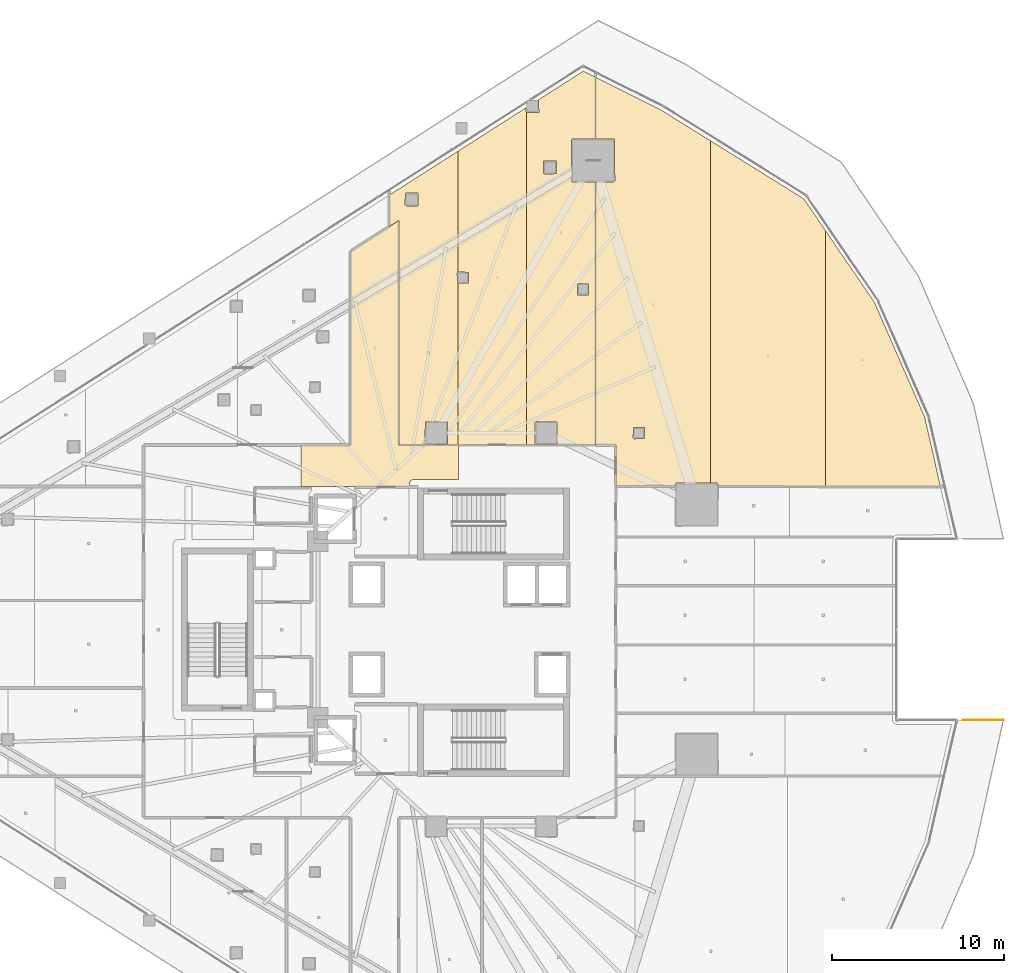
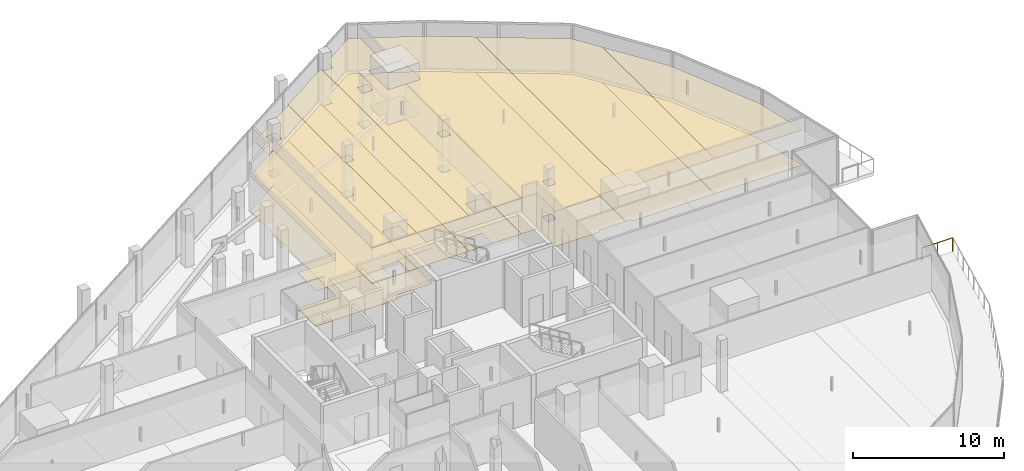
# One storey, part 52 of 52: 14 coverings, 1 railing.
"""IFC4 building model written with IfcOpenShell, lengths in metres."""

from ifc_helpers import new_model, si_unit, direction, frame, origin, origin_2d, place, context, subcontext, project, spatial, polyline, circle, outline, extrude, material, layer, layer_set, type_object, element, save


model = new_model("IFC4")

# Units and contexts
model_context = context("Model", 3, precision=1e-05, world=origin(), true_north=direction((0.0, 1.0)))
body_context = subcontext(model_context, "Body", "Model", "MODEL_VIEW")
ifc_project = project(units=[si_unit("LENGTHUNIT", "METRE"), si_unit("AREAUNIT", "SQUARE_METRE"), si_unit("VOLUMEUNIT", "CUBIC_METRE"), si_unit("PLANEANGLEUNIT", "RADIAN"), si_unit("MASSUNIT", "GRAM", prefix="KILO")], contexts=[model_context])

# Site, building, storey
site_placement = place(None, origin())
site = spatial("IfcSite", under=ifc_project, at=site_placement, CompositionType="ELEMENT")
building_placement = place(site_placement, origin())
building = spatial("IfcBuilding", under=site, at=building_placement, Name="Qorvath Tower", CompositionType="ELEMENT")
storey_placement = place(building_placement, frame((0.0, 0.0, 61.800048828125)))
storey = spatial("IfcBuildingStorey", under=building, at=storey_placement, Name="L13", CompositionType="ELEMENT", Elevation=61.800048828125)

# Coverings
ifc_material_1 = material(Name="Acoustic mineral fibre ceiling tile", Category="gypsum")
ifc_layer_1 = layer(ifc_material_1, 0.030029296875)
ifc_layer_set_1 = layer_set([ifc_layer_1], Name="COV-CEIL")
covering_type_1 = type_object("IfcCoveringType", Name="COV-CEIL", PredefinedType="CEILING", material=ifc_layer_set_1)
covering_1_placement = place(storey_placement, frame((0.0, 0.0, 2.849853515625)))
element("IfcCovering", 1, at=covering_1_placement, inside=storey, type_object=covering_type_1, Name="L13 Suspended Acoustic Ceiling 009", PredefinedType="CEILING", context=body_context, shape_type="SweptSolid", body=[
    extrude(outline(polyline([(-31.481689453125, 10.74609375), (-31.481689453125, 8.324951171875), (-25.18994140625, 8.324951171875), (-25.11669921875, 8.6767578125), (-24.93994140625, 8.75), (-22.318359375, 8.75), (-22.318359375, 10.74609375), (-25.803466796875, 10.74658203125), (-25.804931640625, 23.815185546875), (-28.594970703125, 22.031982421875), (-28.596435546875, 10.74658203125), (-31.481689453125, 10.74609375)])), origin(), (0.0, 0.0, 1.0), 0.030029296875),
])
covering_2_placement = place(storey_placement, frame((0.0, 0.0, 2.849853515625)))
element("IfcCovering", 2, at=covering_2_placement, inside=storey, type_object=covering_type_1, Name="L13 Suspended Acoustic Ceiling 013", PredefinedType="CEILING", context=body_context, shape_type="SweptSolid", body=[
    extrude(outline(polyline([(-22.332275390625, 10.762939453125), (-22.332275390625, 20.177490234375), (-22.37060546875, 20.177490234375), (-22.38818359375, 20.77001953125), (-22.332275390625, 20.825927734375), (-22.332275390625, 27.874267578125), (-26.32666015625, 25.3212890625), (-26.32666015625, 23.503173828125), (-25.787109375, 23.8388671875), (-25.787109375, 10.762939453125), (-22.332275390625, 10.762939453125)]), holes=[polyline([(-24.260009765625, 10.85009765625), (-24.242431640625, 12.092529296875), (-22.95751953125, 12.092529296875), (-22.95751953125, 10.8076171875), (-24.199951171875, 10.7900390625), (-24.260009765625, 10.85009765625)]), polyline([(-25.422607421875, 24.73388671875), (-25.405029296875, 25.42626953125), (-24.670166015625, 25.42626953125), (-24.670166015625, 24.69140625), (-25.362548828125, 24.673828125), (-25.422607421875, 24.73388671875)])]), origin(), (0.0, 0.0, 1.0), 0.030029296875),
])
covering_3_placement = place(storey_placement, frame((0.0, 0.0, 2.849853515625)))
element("IfcCovering", 3, at=covering_3_placement, inside=storey, type_object=covering_type_1, Name="L13 Suspended Acoustic Ceiling 014", PredefinedType="CEILING", context=body_context, shape_type="SweptSolid", body=[
    extrude(outline(polyline([(-18.337646484375, 10.762939453125), (-18.337646484375, 30.127685546875), (-18.385009765625, 30.175048828125), (-18.385009765625, 30.39697265625), (-22.332275390625, 27.874267578125), (-22.332275390625, 20.825927734375), (-22.328125, 20.829833984375), (-21.73583984375, 20.812255859375), (-21.73583984375, 20.177490234375), (-22.332275390625, 20.177490234375), (-22.332275390625, 10.762939453125), (-18.337646484375, 10.762939453125)])), origin(), (0.0, 0.0, 1.0), 0.030029296875),
])
covering_4_placement = place(storey_placement, frame((0.0, 0.0, 2.849853515625)))
element("IfcCovering", 4, at=covering_4_placement, inside=storey, type_object=covering_type_1, Name="L13 Suspended Acoustic Ceiling 015", PredefinedType="CEILING", context=body_context, shape_type="SweptSolid", body=[
    extrude(outline(polyline([(-14.34326171875, 32.18359375), (-15.042724609375, 32.533203125), (-17.642578125, 30.87158203125), (-17.632568359375, 30.132568359375), (-18.324951171875, 30.114990234375), (-18.337646484375, 30.127685546875), (-18.337646484375, 10.762939453125), (-14.34326171875, 10.762939453125), (-14.34326171875, 26.07080078125), (-15.706787109375, 26.08837890625), (-15.724365234375, 28.53076171875), (-15.664306640625, 28.5908203125), (-14.34326171875, 28.5908203125), (-14.34326171875, 32.18359375)]), holes=[polyline([(-15.381103515625, 20.093017578125), (-15.321044921875, 20.153076171875), (-14.728759765625, 20.135498046875), (-14.728759765625, 19.500732421875), (-15.363525390625, 19.500732421875), (-15.381103515625, 20.093017578125)]), polyline([(-17.860107421875, 12.050048828125), (-17.800048828125, 12.110107421875), (-16.5576171875, 12.092529296875), (-16.5576171875, 10.8076171875), (-17.842529296875, 10.8076171875), (-17.860107421875, 12.050048828125)]), polyline([(-17.3662109375, 26.604248046875), (-17.3486328125, 27.296630859375), (-16.61376953125, 27.296630859375), (-16.61376953125, 26.561767578125), (-17.30615234375, 26.544189453125), (-17.3662109375, 26.604248046875)])]), origin(), (0.0, 0.0, 1.0), 0.030029296875),
])
covering_5_placement = place(storey_placement, frame((0.0, 0.0, 2.849853515625)))
element("IfcCovering", 5, at=covering_5_placement, inside=storey, type_object=covering_type_1, Name="L13 Suspended Acoustic Ceiling 016", PredefinedType="CEILING", context=body_context, shape_type="SweptSolid", body=[
    extrude(outline(polyline([(-7.626953125, 8.536376953125), (-7.626953125, 28.4765625), (-10.493408203125, 30.258544921875), (-14.3251953125, 32.174560546875), (-14.3251953125, 28.5908203125), (-13.221923828125, 28.5732421875), (-13.204345703125, 26.130615234375), (-13.264404296875, 26.07080078125), (-14.3251953125, 26.07080078125), (-14.3251953125, 10.762939453125), (-13.138427734375, 10.761474609375), (-13.136962890625, 8.35498046875), (-9.690185546875, 8.35498046875), (-9.63037109375, 8.536376953125), (-7.626953125, 8.536376953125)]), holes=[polyline([(-12.135009765625, 11.175048828125), (-12.117431640625, 11.767333984375), (-11.482666015625, 11.767333984375), (-11.482666015625, 11.132568359375), (-12.074951171875, 11.114990234375), (-12.135009765625, 11.175048828125)])]), origin(), (0.0, 0.0, 1.0), 0.030029296875),
])
covering_6_placement = place(storey_placement, frame((0.0, 0.0, 2.849853515625)))
element("IfcCovering", 6, at=covering_6_placement, inside=storey, type_object=covering_type_1, Name="L13 Suspended Acoustic Ceiling 017", PredefinedType="CEILING", context=body_context, shape_type="SweptSolid", body=[
    extrude(outline(polyline([(-0.9287109375, 8.346435546875), (-0.9287109375, 23.242919921875), (-2.1982421875, 25.101806640625), (-7.626953125, 28.4765625), (-7.626953125, 8.536376953125), (-7.230224609375, 8.536376953125), (-7.17041015625, 8.35498046875), (-0.9287109375, 8.346435546875)])), origin(), (0.0, 0.0, 1.0), 0.030029296875),
])
covering_7_placement = place(storey_placement, frame((0.0, 0.0, 2.849853515625)))
element("IfcCovering", 7, at=covering_7_placement, inside=storey, type_object=covering_type_1, Name="L13 Suspended Acoustic Ceiling 018", PredefinedType="CEILING", context=body_context, shape_type="SweptSolid", body=[
    extrude(outline(polyline([(5.76953125, 8.33740234375), (4.85400390625, 12.372314453125), (1.91748046875, 19.076171875), (-0.9287109375, 23.242919921875), (-0.9287109375, 8.346435546875), (5.76953125, 8.33740234375)])), origin(), (0.0, 0.0, 1.0), 0.030029296875),
])
ifc_material_2 = material(Name="Low-VOC modular carpet tile", Category="textile")
ifc_layer_2 = layer(ifc_material_2, 0.014892578125)
ifc_layer_set_2 = layer_set([ifc_layer_2], Name="COV-FLOOR-CPT")
covering_type_2 = type_object("IfcCoveringType", Name="COV-FLOOR-CPT", PredefinedType="FLOORING", material=ifc_layer_set_2)
covering_8_placement = place(storey_placement, origin())
element("IfcCovering", 8, at=covering_8_placement, inside=storey, type_object=covering_type_2, Name="L13 Floor Finish 013", PredefinedType="FLOORING", context=body_context, shape_type="SweptSolid", body=[
    extrude(outline(polyline([(-22.332275390625, 10.762939453125), (-22.332275390625, 20.177490234375), (-22.37060546875, 20.177490234375), (-22.38818359375, 20.77001953125), (-22.332275390625, 20.825927734375), (-22.332275390625, 27.874267578125), (-26.32666015625, 25.3212890625), (-26.32666015625, 23.503173828125), (-25.787109375, 23.8388671875), (-25.787109375, 10.762939453125), (-22.332275390625, 10.762939453125)]), holes=[polyline([(-24.260009765625, 10.85009765625), (-24.242431640625, 12.092529296875), (-22.95751953125, 12.092529296875), (-22.95751953125, 10.8076171875), (-24.199951171875, 10.7900390625), (-24.260009765625, 10.85009765625)]), polyline([(-25.422607421875, 24.73388671875), (-25.405029296875, 25.42626953125), (-24.670166015625, 25.42626953125), (-24.670166015625, 24.69140625), (-25.362548828125, 24.673828125), (-25.422607421875, 24.73388671875)])]), origin(), (0.0, 0.0, 1.0), 0.014892578125),
])
covering_9_placement = place(storey_placement, origin())
element("IfcCovering", 9, at=covering_9_placement, inside=storey, type_object=covering_type_2, Name="L13 Floor Finish 014", PredefinedType="FLOORING", context=body_context, shape_type="SweptSolid", body=[
    extrude(outline(polyline([(-18.337646484375, 10.762939453125), (-18.337646484375, 30.127685546875), (-18.385009765625, 30.175048828125), (-18.385009765625, 30.39697265625), (-22.332275390625, 27.874267578125), (-22.332275390625, 20.825927734375), (-22.328125, 20.829833984375), (-21.73583984375, 20.812255859375), (-21.73583984375, 20.177490234375), (-22.332275390625, 20.177490234375), (-22.332275390625, 10.762939453125), (-18.337646484375, 10.762939453125)])), origin(), (0.0, 0.0, 1.0), 0.014892578125),
])
covering_10_placement = place(storey_placement, origin())
element("IfcCovering", 10, at=covering_10_placement, inside=storey, type_object=covering_type_2, Name="L13 Floor Finish 015", PredefinedType="FLOORING", context=body_context, shape_type="SweptSolid", body=[
    extrude(outline(polyline([(-14.34326171875, 32.18359375), (-15.042724609375, 32.533203125), (-17.642578125, 30.87158203125), (-17.632568359375, 30.132568359375), (-18.324951171875, 30.114990234375), (-18.337646484375, 30.127685546875), (-18.337646484375, 10.762939453125), (-14.34326171875, 10.762939453125), (-14.34326171875, 26.07080078125), (-15.706787109375, 26.08837890625), (-15.724365234375, 28.53076171875), (-15.664306640625, 28.5908203125), (-14.34326171875, 28.5908203125), (-14.34326171875, 32.18359375)]), holes=[polyline([(-15.381103515625, 20.093017578125), (-15.321044921875, 20.153076171875), (-14.728759765625, 20.135498046875), (-14.728759765625, 19.500732421875), (-15.363525390625, 19.500732421875), (-15.381103515625, 20.093017578125)]), polyline([(-17.860107421875, 12.050048828125), (-17.800048828125, 12.110107421875), (-16.5576171875, 12.092529296875), (-16.5576171875, 10.8076171875), (-17.842529296875, 10.8076171875), (-17.860107421875, 12.050048828125)]), polyline([(-17.3662109375, 26.604248046875), (-17.3486328125, 27.296630859375), (-16.61376953125, 27.296630859375), (-16.61376953125, 26.561767578125), (-17.30615234375, 26.544189453125), (-17.3662109375, 26.604248046875)])]), origin(), (0.0, 0.0, 1.0), 0.014892578125),
])
covering_11_placement = place(storey_placement, origin())
element("IfcCovering", 11, at=covering_11_placement, inside=storey, type_object=covering_type_2, Name="L13 Floor Finish 016", PredefinedType="FLOORING", context=body_context, shape_type="SweptSolid", body=[
    extrude(outline(polyline([(-7.626953125, 8.536376953125), (-7.626953125, 28.4765625), (-10.493408203125, 30.258544921875), (-14.3251953125, 32.174560546875), (-14.3251953125, 28.5908203125), (-13.221923828125, 28.5732421875), (-13.204345703125, 26.130615234375), (-13.264404296875, 26.07080078125), (-14.3251953125, 26.07080078125), (-14.3251953125, 10.762939453125), (-13.138427734375, 10.761474609375), (-13.136962890625, 8.35498046875), (-9.690185546875, 8.35498046875), (-9.63037109375, 8.536376953125), (-7.626953125, 8.536376953125)]), holes=[polyline([(-12.135009765625, 11.175048828125), (-12.117431640625, 11.767333984375), (-11.482666015625, 11.767333984375), (-11.482666015625, 11.132568359375), (-12.074951171875, 11.114990234375), (-12.135009765625, 11.175048828125)])]), origin(), (0.0, 0.0, 1.0), 0.014892578125),
])
covering_12_placement = place(storey_placement, origin())
element("IfcCovering", 12, at=covering_12_placement, inside=storey, type_object=covering_type_2, Name="L13 Floor Finish 017", PredefinedType="FLOORING", context=body_context, shape_type="SweptSolid", body=[
    extrude(outline(polyline([(-0.9287109375, 8.346435546875), (-0.9287109375, 23.242919921875), (-2.1982421875, 25.101806640625), (-7.626953125, 28.4765625), (-7.626953125, 8.536376953125), (-7.230224609375, 8.536376953125), (-7.17041015625, 8.35498046875), (-0.9287109375, 8.346435546875)])), origin(), (0.0, 0.0, 1.0), 0.014892578125),
])
covering_13_placement = place(storey_placement, origin())
element("IfcCovering", 13, at=covering_13_placement, inside=storey, type_object=covering_type_2, Name="L13 Floor Finish 018", PredefinedType="FLOORING", context=body_context, shape_type="SweptSolid", body=[
    extrude(outline(polyline([(5.76953125, 8.33740234375), (4.85400390625, 12.372314453125), (1.91748046875, 19.076171875), (-0.9287109375, 23.242919921875), (-0.9287109375, 8.346435546875), (5.76953125, 8.33740234375)])), origin(), (0.0, 0.0, 1.0), 0.014892578125),
])
ifc_material_3 = material(Name="Polished epoxy terrazzo flooring", Category="concrete")
ifc_layer_3 = layer(ifc_material_3, 0.02001953125)
ifc_layer_set_3 = layer_set([ifc_layer_3], Name="COV-FLOOR-TRZ")
covering_type_3 = type_object("IfcCoveringType", Name="COV-FLOOR-TRZ", PredefinedType="FLOORING", material=ifc_layer_set_3)
covering_14_placement = place(storey_placement, origin())
element("IfcCovering", 14, at=covering_14_placement, inside=storey, type_object=covering_type_3, Name="L13 Floor Finish 009", PredefinedType="FLOORING", context=body_context, shape_type="SweptSolid", body=[
    extrude(outline(polyline([(-31.481689453125, 10.74609375), (-31.481689453125, 8.324951171875), (-25.18994140625, 8.324951171875), (-25.11669921875, 8.6767578125), (-24.93994140625, 8.75), (-22.318359375, 8.75), (-22.318359375, 10.74609375), (-25.803466796875, 10.74658203125), (-25.804931640625, 23.815185546875), (-28.594970703125, 22.031982421875), (-28.596435546875, 10.74658203125), (-31.481689453125, 10.74609375)])), origin(), (0.0, 0.0, 1.0), 0.014892578125),
])

# Railing
ifc_material_4 = material(Name="Laminated safety glass and stainless steel AISI 316", Category="steel")
railing_type = type_object("IfcRailingType", Name="RL-EXT-GRD", PredefinedType="GUARDRAIL", material=ifc_material_4)
railing_placement = place(storey_placement, frame((7.082763671875, -5.2705078125, 0.0)))
element("IfcRailing", 15, at=railing_placement, inside=storey, type_object=railing_type, Name="Loggia Perimeter Guardrail L13-1.2", PredefinedType="GUARDRAIL", context=body_context, shape_type="SweptSolid", body=[
    extrude(circle(Radius=0.02392578125, at=origin_2d()), frame((0.0, 0.0, 1.09619140625), z_axis=(1.0, 0.0, 0.0), x_axis=(0.0, 1.0, 0.0)), (0.0, 0.0, 1.0), 2.3662109375),
    extrude(circle(Radius=0.02099609375, at=origin_2d()), origin(), (0.0, 0.0, 1.0), 1.072021484375),
    extrude(circle(Radius=0.02099609375, at=origin_2d()), frame((1.18310546875, 0.0, 0.0)), (0.0, 0.0, 1.0), 1.072021484375),
    extrude(circle(Radius=0.02099609375, at=origin_2d()), frame((2.3662109375, 0.0, 0.0)), (0.0, 0.0, 1.0), 1.072021484375),
])

save(model, "model.ifc")
